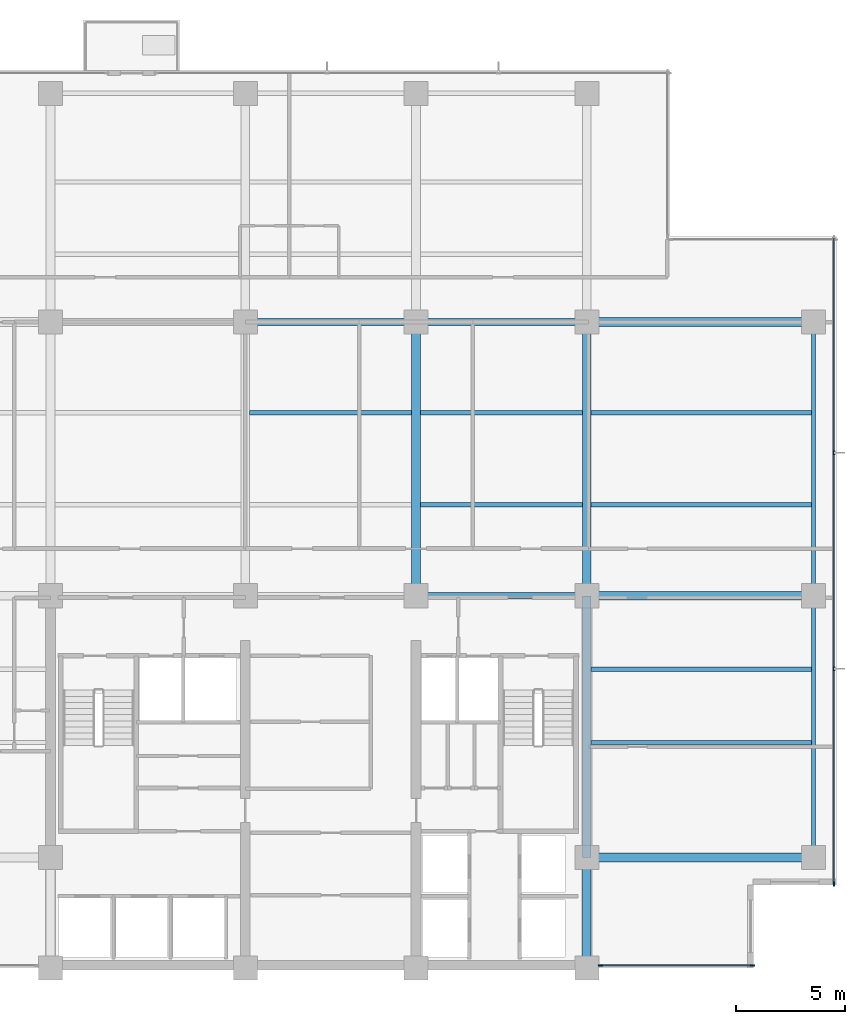
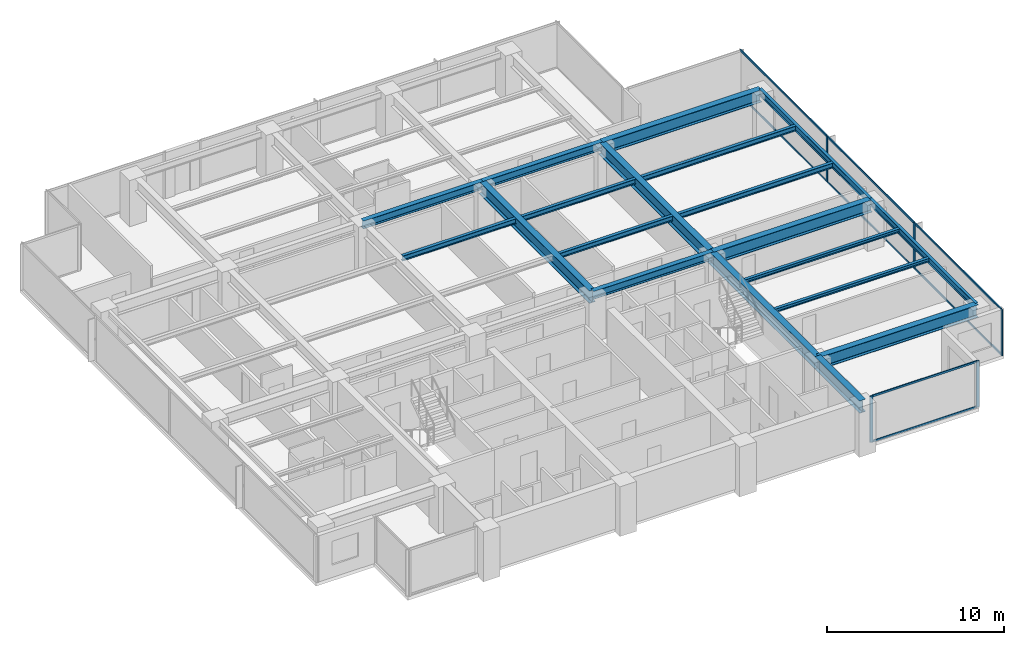
# One storey, part 3 of 14: 19 beams, 13 members, 2 elements without a shape of their own.
"""IFC4 building model written with IfcOpenShell, lengths in metres."""

from ifc_helpers import new_model, si_unit, direction, frame, origin, origin_2d, place, context, subcontext, project, spatial, rectangle, i_section, extrude, material, layer, layer_set, material_profile, profile_set, type_object, element, aggregate, save


model = new_model("IFC4")

# Units and contexts
model_context = context("Model", 3, precision=1e-05, world=origin(), true_north=direction((0.0, 1.0)))
body_context = subcontext(model_context, "Body", "Model", "MODEL_VIEW")
ifc_project = project(units=[si_unit("LENGTHUNIT", "METRE"), si_unit("AREAUNIT", "SQUARE_METRE"), si_unit("VOLUMEUNIT", "CUBIC_METRE"), si_unit("PLANEANGLEUNIT", "RADIAN"), si_unit("MASSUNIT", "GRAM", prefix="KILO")], contexts=[model_context])

# Site, building, storey
site_placement = place(None, origin())
site = spatial("IfcSite", under=ifc_project, at=site_placement, CompositionType="ELEMENT")
building_placement = place(site_placement, origin())
building = spatial("IfcBuilding", under=site, at=building_placement, Name="Qalmaran Belvedere Hotel", CompositionType="ELEMENT")
storey_placement = place(building_placement, frame((0.0, 0.0, 180.60009765625)))
storey = spatial("IfcBuildingStorey", under=building, at=storey_placement, Name="L46", CompositionType="ELEMENT", Elevation=180.60009765625)

# Beams
ifc_material_1 = material(Name="Steel S355JR", Category="steel")
ifc_material_profile_1 = material_profile(ifc_material_1, i_section(OverallWidth=0.201904296875, OverallDepth=0.2470703125, WebThickness=0.00732421875, FlangeThickness=0.010986328125, FilletRadius=0.011962890625, at=origin_2d()), Name="W250X49")
ifc_profile_set_1 = profile_set([ifc_material_profile_1], Name="Steel S355JR")
beam_type_1 = type_object("IfcBeamType", Name="BM-JST-W250X49", PredefinedType="JOIST", material=ifc_profile_set_1)
for number, where, z_axis, x_axis, name in (
    (1, (44.998046875, 13.800048828125, 3.056396484375), (1.0, 0.0, 0.0), (0.0, 1.0, 0.0), "L46 East Wing Joist 039"),
    (2, (44.998046875, 17.14990234375, 3.056396484375), (1.0, 0.0, 0.0), (0.0, 1.0, 0.0), "L46 East Wing Joist 041"),
):
    element("IfcBeam", number, at=place(storey_placement, frame(where, z_axis=z_axis, x_axis=x_axis)), inside=storey, type_object=beam_type_1, Name=name, PredefinedType="JOIST", context=body_context, shape_type="SweptSolid", body=[
        extrude(i_section(OverallWidth=0.201904296875, OverallDepth=0.2470703125, WebThickness=0.00732421875, FlangeThickness=0.010986328125, FilletRadius=0.011962890625, at=origin_2d()), origin(), (0.0, 0.0, 1.0), 10.057861328125),
    ])
ifc_material_profile_2 = material_profile(ifc_material_1, i_section(OverallWidth=0.39990234375, OverallDepth=0.85498046875, WebThickness=0.018310546875, FlangeThickness=0.029296875, FilletRadius=0.02392578125, at=origin_2d()), Name="W840X299")
ifc_profile_set_2 = profile_set([ifc_material_profile_2], Name="Steel S355JR")
beam_type_2 = type_object("IfcBeamType", Name="BM-PG3-W840X299", PredefinedType="USERDEFINED", material=ifc_profile_set_2)
for number, where, z_axis, x_axis, name in (
    (3, (37.0, 20.5, 2.75244140625), (0.0, 1.0, 0.0), (-1.0, 0.0, 0.0), "L46 Mid-Plate N-S Girder 18"),
    (4, (44.800048828125, 20.5, 2.75244140625), (0.0, 1.0, 0.0), (-1.0, 0.0, 0.0), "L46 Mid-Plate N-S Girder 20"),
):
    element("IfcBeam", number, at=place(storey_placement, frame(where, z_axis=z_axis, x_axis=x_axis)), inside=storey, type_object=beam_type_2, Name=name, ObjectType="GIRDER", PredefinedType="USERDEFINED", context=body_context, shape_type="SweptSolid", body=[
        extrude(i_section(OverallWidth=0.39990234375, OverallDepth=0.85498046875, WebThickness=0.018310546875, FlangeThickness=0.029296875, FilletRadius=0.02392578125, at=origin_2d()), origin(), (0.0, 0.0, 1.0), 12.5),
    ])
beam_1_placement = place(storey_placement, frame((44.800048828125, 3.5, 2.75244140625), z_axis=(0.0, 1.0, 0.0), x_axis=(-1.0, 0.0, 0.0)))
element("IfcBeam", 5, at=beam_1_placement, inside=storey, type_object=beam_type_2, Name="L46 East Core Edge Girder A", ObjectType="GIRDER", PredefinedType="USERDEFINED", context=body_context, shape_type="SweptSolid", body=[
    extrude(i_section(OverallWidth=0.39990234375, OverallDepth=0.85498046875, WebThickness=0.018310546875, FlangeThickness=0.029296875, FilletRadius=0.02392578125, at=origin_2d()), origin(), (0.0, 0.0, 1.0), 5.050048828125),
])
beam_2_placement = place(storey_placement, frame((44.800048828125, 8.550048828125, 2.75244140625), z_axis=(0.0, 1.0, 0.0), x_axis=(-1.0, 0.0, 0.0)))
element("IfcBeam", 6, at=beam_2_placement, inside=storey, type_object=beam_type_2, Name="L46 East Core Edge Girder B", ObjectType="GIRDER", PredefinedType="USERDEFINED", context=body_context, shape_type="SweptSolid", body=[
    extrude(i_section(OverallWidth=0.39990234375, OverallDepth=0.85498046875, WebThickness=0.018310546875, FlangeThickness=0.029296875, FilletRadius=0.02392578125, at=origin_2d()), origin(), (0.0, 0.0, 1.0), 11.949951171875),
])
for number, where, z_axis, x_axis, name in (
    (7, (44.800048828125, 8.550048828125, 2.75244140625), (1.0, 0.0, 0.0), (0.0, 1.0, 0.0), "L46 East Wing Girder 25"),
    (8, (44.800048828125, 20.5, 2.75244140625), (1.0, 0.0, 0.0), (0.0, 1.0, 0.0), "L46 East Wing Girder 26"),
    (9, (44.800048828125, 33.0, 2.75244140625), (1.0, 0.0, 0.0), (0.0, 1.0, 0.0), "L46 East Wing Girder 27"),
):
    element("IfcBeam", number, at=place(storey_placement, frame(where, z_axis=z_axis, x_axis=x_axis)), inside=storey, type_object=beam_type_2, Name=name, ObjectType="GIRDER", PredefinedType="USERDEFINED", context=body_context, shape_type="SweptSolid", body=[
        extrude(i_section(OverallWidth=0.39990234375, OverallDepth=0.85498046875, WebThickness=0.018310546875, FlangeThickness=0.029296875, FilletRadius=0.02392578125, at=origin_2d()), origin(), (0.0, 0.0, 1.0), 10.349853515625),
    ])
ifc_material_profile_3 = material_profile(ifc_material_1, i_section(OverallWidth=0.205078125, OverallDepth=0.35400390625, WebThickness=0.009521484375, FlangeThickness=0.016845703125, FilletRadius=0.014892578125, at=origin_2d()), Name="W360X79")
ifc_profile_set_3 = profile_set([ifc_material_profile_3], Name="Steel S355JR")
beam_type_3 = type_object("IfcBeamType", Name="BM-SB3-W360X79", PredefinedType="BEAM", material=ifc_profile_set_3)
beam_3_placement = place(storey_placement, frame((37.197998046875, 24.64990234375, 3.0029296875), z_axis=(1.0, 0.0, 0.0), x_axis=(0.0, 1.0, 0.0)))
element("IfcBeam", 10, at=beam_3_placement, inside=storey, type_object=beam_type_3, Name="L46 Secondary Floor Beam 031", PredefinedType="BEAM", context=body_context, shape_type="SweptSolid", body=[
    extrude(i_section(OverallWidth=0.205078125, OverallDepth=0.35400390625, WebThickness=0.009521484375, FlangeThickness=0.016845703125, FilletRadius=0.014892578125, at=origin_2d()), origin(), (0.0, 0.0, 1.0), 7.404052734375),
])
beam_4_placement = place(storey_placement, frame((44.998046875, 24.64990234375, 3.0029296875), z_axis=(1.0, 0.0, 0.0), x_axis=(0.0, 1.0, 0.0)))
element("IfcBeam", 11, at=beam_4_placement, inside=storey, type_object=beam_type_3, Name="L46 East Secondary Beam 032", PredefinedType="BEAM", context=body_context, shape_type="SweptSolid", body=[
    extrude(i_section(OverallWidth=0.205078125, OverallDepth=0.35400390625, WebThickness=0.009521484375, FlangeThickness=0.016845703125, FilletRadius=0.014892578125, at=origin_2d()), origin(), (0.0, 0.0, 1.0), 10.057861328125),
])
for number, where, z_axis, x_axis, name in (
    (12, (29.39794921875, 28.85009765625, 3.0029296875), (1.0, 0.0, 0.0), (0.0, 1.0, 0.0), "L46 Secondary Floor Beam 035"),
    (13, (37.197998046875, 28.85009765625, 3.0029296875), (1.0, 0.0, 0.0), (0.0, 1.0, 0.0), "L46 Secondary Floor Beam 036"),
):
    element("IfcBeam", number, at=place(storey_placement, frame(where, z_axis=z_axis, x_axis=x_axis)), inside=storey, type_object=beam_type_3, Name=name, PredefinedType="BEAM", context=body_context, shape_type="SweptSolid", body=[
        extrude(i_section(OverallWidth=0.205078125, OverallDepth=0.35400390625, WebThickness=0.009521484375, FlangeThickness=0.016845703125, FilletRadius=0.014892578125, at=origin_2d()), origin(), (0.0, 0.0, 1.0), 7.404052734375),
    ])
beam_5_placement = place(storey_placement, frame((44.998046875, 28.85009765625, 3.0029296875), z_axis=(1.0, 0.0, 0.0), x_axis=(0.0, 1.0, 0.0)))
element("IfcBeam", 14, at=beam_5_placement, inside=storey, type_object=beam_type_3, Name="L46 East Secondary Beam 037", PredefinedType="BEAM", context=body_context, shape_type="SweptSolid", body=[
    extrude(i_section(OverallWidth=0.205078125, OverallDepth=0.35400390625, WebThickness=0.009521484375, FlangeThickness=0.016845703125, FilletRadius=0.014892578125, at=origin_2d()), origin(), (0.0, 0.0, 1.0), 10.057861328125),
])
ifc_material_profile_4 = material_profile(ifc_material_1, i_section(OverallWidth=0.19189453125, OverallDepth=0.462890625, WebThickness=0.010498046875, FlangeThickness=0.017578125, FilletRadius=0.01611328125, at=origin_2d()), Name="W460X89")
ifc_profile_set_4 = profile_set([ifc_material_profile_4], Name="Steel S355JR")
beam_type_4 = type_object("IfcBeamType", Name="BM-SP2-W460X89", PredefinedType="SPANDREL", material=ifc_profile_set_4)
beam_6_placement = place(storey_placement, frame((55.14990234375, 8.550048828125, 2.948486328125), z_axis=(0.0, 1.0, 0.0), x_axis=(-1.0, 0.0, 0.0)))
element("IfcBeam", 15, at=beam_6_placement, inside=storey, type_object=beam_type_4, Name="L46 Perimeter Spandrel 03", PredefinedType="SPANDREL", context=body_context, shape_type="SweptSolid", body=[
    extrude(i_section(OverallWidth=0.19189453125, OverallDepth=0.462890625, WebThickness=0.010498046875, FlangeThickness=0.017578125, FilletRadius=0.01611328125, at=origin_2d()), origin(), (0.0, 0.0, 1.0), 11.949951171875),
])
beam_7_placement = place(storey_placement, frame((55.14990234375, 20.5, 2.948486328125), z_axis=(0.0, 1.0, 0.0), x_axis=(-1.0, 0.0, 0.0)))
element("IfcBeam", 16, at=beam_7_placement, inside=storey, type_object=beam_type_4, Name="L46 Perimeter Spandrel 04", PredefinedType="SPANDREL", context=body_context, shape_type="SweptSolid", body=[
    extrude(i_section(OverallWidth=0.19189453125, OverallDepth=0.462890625, WebThickness=0.010498046875, FlangeThickness=0.017578125, FilletRadius=0.01611328125, at=origin_2d()), origin(), (0.0, 0.0, 1.0), 12.5),
])
ifc_material_profile_5 = material_profile(ifc_material_1, i_section(OverallWidth=0.31201171875, OverallDepth=0.54296875, WebThickness=0.0126953125, FlangeThickness=0.020263671875, FilletRadius=0.01806640625, at=origin_2d()), Name="W530X150")
ifc_profile_set_5 = profile_set([ifc_material_profile_5], Name="Steel S355JR")
beam_type_5 = type_object("IfcBeamType", Name="BM-Z3-W530X150", PredefinedType="USERDEFINED", material=ifc_profile_set_5)
for number, where, z_axis, x_axis, name in (
    (17, (37.0, 20.5, 2.908447265625), (1.0, 0.0, 0.0), (0.0, 1.0, 0.0), "L46 Interior E-W Girder 10"),
    (18, (29.199951171875, 33.0, 2.908447265625), (1.0, 0.0, 0.0), (0.0, 1.0, 0.0), "L46 Interior E-W Girder 12"),
    (19, (37.0, 33.0, 2.908447265625), (1.0, 0.0, 0.0), (0.0, 1.0, 0.0), "L46 Interior E-W Girder 13"),
):
    element("IfcBeam", number, at=place(storey_placement, frame(where, z_axis=z_axis, x_axis=x_axis)), inside=storey, type_object=beam_type_5, Name=name, ObjectType="GIRDER", PredefinedType="USERDEFINED", context=body_context, shape_type="SweptSolid", body=[
        extrude(i_section(OverallWidth=0.31201171875, OverallDepth=0.54296875, WebThickness=0.0126953125, FlangeThickness=0.020263671875, FilletRadius=0.01806640625, at=origin_2d()), origin(), (0.0, 0.0, 1.0), 7.800048828125),
    ])

# Curtain wall, members
ifc_material_2 = material(Name="Anodised Bronze Aluminium", Category="aluminium")
ifc_layer = layer(ifc_material_2, 0.195068359375, Name="Anodised Bronze Aluminium")
ifc_layer_set = layer_set([ifc_layer], Name="Anodised Bronze Aluminium")
curtain_wall_type = type_object("IfcCurtainWallType", Name="CW4-TOWER-HIGHMID", PredefinedType="NOTDEFINED", material=ifc_layer_set)
curtain_wall_1_placement = place(storey_placement, origin())
curtain_wall_1 = element("IfcCurtainWall", 20, at=curtain_wall_1_placement, inside=storey, type_object=curtain_wall_type, Name="L46 Curtain Wall CW4", PredefinedType="NOTDEFINED")
ifc_material_profile_6 = material_profile(ifc_material_2, rectangle(XDim=0.070068359375, YDim=0.18994140625, at=origin_2d()), Name="CWM70X190")
ifc_profile_set_6 = profile_set([ifc_material_profile_6], Name="Anodised Bronze Aluminium")
member_type_1 = type_object("IfcMemberType", Name="CWM-70X190", PredefinedType="MULLION", material=ifc_profile_set_6)
member_1_placement = place(storey_placement, frame((45.425048828125, 3.6201171875, 0.0), z_axis=(0.0, 0.0, 1.0), x_axis=(0.0, 1.0, 0.0)))
member_1 = element("IfcMember", 21, at=member_1_placement, type_object=member_type_1, Name="CW4 mullion 1", PredefinedType="MULLION", context=body_context, shape_type="SweptSolid", body=[
    extrude(rectangle(XDim=0.070068359375, YDim=0.18994140625, at=origin_2d()), origin(), (0.0, 0.0, 1.0), 3.179931640625),
])
member_2_placement = place(storey_placement, frame((52.364990234375, 3.6201171875, 0.0), z_axis=(0.0, 0.0, 1.0), x_axis=(0.0, 1.0, 0.0)))
member_2 = element("IfcMember", 22, at=member_2_placement, type_object=member_type_1, Name="CW4 mullion 2", PredefinedType="MULLION", context=body_context, shape_type="SweptSolid", body=[
    extrude(rectangle(XDim=0.070068359375, YDim=0.18994140625, at=origin_2d()), origin(), (0.0, 0.0, 1.0), 3.179931640625),
])

curtain_wall_2_placement = place(storey_placement, origin())
curtain_wall_2 = element("IfcCurtainWall", 23, at=curtain_wall_2_placement, inside=storey, type_object=curtain_wall_type, Name="L46 Curtain Wall CW4", PredefinedType="NOTDEFINED")
member_3_placement = place(storey_placement, frame((56.080078125, 7.3349609375, 0.0), z_axis=(0.0, 0.0, 1.0), x_axis=(-1.0, 0.0, 0.0)))
member_3 = element("IfcMember", 24, at=member_3_placement, type_object=member_type_1, Name="CW4 mullion 1", PredefinedType="MULLION", context=body_context, shape_type="SweptSolid", body=[
    extrude(rectangle(XDim=0.070068359375, YDim=0.18994140625, at=origin_2d()), origin(), (0.0, 0.0, 1.0), 3.179931640625),
])
member_4_placement = place(storey_placement, frame((56.080078125, 17.166748046875, 0.0), z_axis=(0.0, 0.0, 1.0), x_axis=(-1.0, 0.0, 0.0)))
member_4 = element("IfcMember", 25, at=member_4_placement, type_object=member_type_1, Name="CW4 mullion 2", PredefinedType="MULLION", context=body_context, shape_type="SweptSolid", body=[
    extrude(rectangle(XDim=0.070068359375, YDim=0.18994140625, at=origin_2d()), origin(), (0.0, 0.0, 1.0), 3.179931640625),
])
member_5_placement = place(storey_placement, frame((56.080078125, 27.033447265625, 0.0), z_axis=(0.0, 0.0, 1.0), x_axis=(-1.0, 0.0, 0.0)))
member_5 = element("IfcMember", 26, at=member_5_placement, type_object=member_type_1, Name="CW4 mullion 3", PredefinedType="MULLION", context=body_context, shape_type="SweptSolid", body=[
    extrude(rectangle(XDim=0.070068359375, YDim=0.18994140625, at=origin_2d()), origin(), (0.0, 0.0, 1.0), 3.179931640625),
])

# Member
ifc_material_profile_7 = material_profile(ifc_material_2, rectangle(XDim=0.06494140625, YDim=0.1298828125, at=origin_2d()), Name="CWT65X130")
ifc_profile_set_7 = profile_set([ifc_material_profile_7], Name="Anodised Bronze Aluminium")
member_type_2 = type_object("IfcMemberType", Name="CWT-65X130", PredefinedType="USERDEFINED", material=ifc_profile_set_7)
member_6_placement = place(storey_placement, frame((45.4599609375, 3.6201171875, 0.032470703125), z_axis=(1.0, 0.0, 0.0), x_axis=(0.0, 1.0, 0.0)))
member_6 = element("IfcMember", 27, at=member_6_placement, type_object=member_type_2, Name="CW4 transom 1.1", ObjectType="TRANSOM", PredefinedType="USERDEFINED", context=body_context, shape_type="SweptSolid", body=[
    extrude(rectangle(XDim=0.06494140625, YDim=0.1298828125, at=origin_2d()), origin(), (0.0, 0.0, 1.0), 6.8701171875),
])

member_7_placement = place(storey_placement, frame((45.4599609375, 3.6201171875, 3.1474609375), z_axis=(1.0, 0.0, 0.0), x_axis=(0.0, 1.0, 0.0)))
member_7 = element("IfcMember", 28, at=member_7_placement, type_object=member_type_2, Name="CW4 transom 1.2", ObjectType="TRANSOM", PredefinedType="USERDEFINED", context=body_context, shape_type="SweptSolid", body=[
    extrude(rectangle(XDim=0.06494140625, YDim=0.1298828125, at=origin_2d()), origin(), (0.0, 0.0, 1.0), 6.8701171875),
])

aggregate(curtain_wall_1, [member_1, member_2, member_6, member_7])

member_8_placement = place(storey_placement, frame((56.080078125, 7.3701171875, 0.032470703125), z_axis=(0.0, 1.0, 0.0), x_axis=(-1.0, 0.0, 0.0)))
member_8 = element("IfcMember", 29, at=member_8_placement, type_object=member_type_2, Name="CW4 transom 1.1", ObjectType="TRANSOM", PredefinedType="USERDEFINED", context=body_context, shape_type="SweptSolid", body=[
    extrude(rectangle(XDim=0.06494140625, YDim=0.1298828125, at=origin_2d()), origin(), (0.0, 0.0, 1.0), 9.761474609375),
])

member_9_placement = place(storey_placement, frame((56.080078125, 7.3701171875, 3.1474609375), z_axis=(0.0, 1.0, 0.0), x_axis=(-1.0, 0.0, 0.0)))
member_9 = element("IfcMember", 30, at=member_9_placement, type_object=member_type_2, Name="CW4 transom 1.2", ObjectType="TRANSOM", PredefinedType="USERDEFINED", context=body_context, shape_type="SweptSolid", body=[
    extrude(rectangle(XDim=0.06494140625, YDim=0.1298828125, at=origin_2d()), origin(), (0.0, 0.0, 1.0), 9.761474609375),
])

member_10_placement = place(storey_placement, frame((56.080078125, 17.20166015625, 0.032470703125), z_axis=(0.0, 1.0, 0.0), x_axis=(-1.0, 0.0, 0.0)))
member_10 = element("IfcMember", 31, at=member_10_placement, type_object=member_type_2, Name="CW4 transom 2.1", ObjectType="TRANSOM", PredefinedType="USERDEFINED", context=body_context, shape_type="SweptSolid", body=[
    extrude(rectangle(XDim=0.06494140625, YDim=0.1298828125, at=origin_2d()), origin(), (0.0, 0.0, 1.0), 9.796630859375),
])

member_11_placement = place(storey_placement, frame((56.080078125, 17.20166015625, 3.1474609375), z_axis=(0.0, 1.0, 0.0), x_axis=(-1.0, 0.0, 0.0)))
member_11 = element("IfcMember", 32, at=member_11_placement, type_object=member_type_2, Name="CW4 transom 2.2", ObjectType="TRANSOM", PredefinedType="USERDEFINED", context=body_context, shape_type="SweptSolid", body=[
    extrude(rectangle(XDim=0.06494140625, YDim=0.1298828125, at=origin_2d()), origin(), (0.0, 0.0, 1.0), 9.796630859375),
])

member_12_placement = place(storey_placement, frame((56.080078125, 27.068359375, 0.032470703125), z_axis=(0.0, 1.0, 0.0), x_axis=(-1.0, 0.0, 0.0)))
member_12 = element("IfcMember", 33, at=member_12_placement, type_object=member_type_2, Name="CW4 transom 3.1", ObjectType="TRANSOM", PredefinedType="USERDEFINED", context=body_context, shape_type="SweptSolid", body=[
    extrude(rectangle(XDim=0.06494140625, YDim=0.1298828125, at=origin_2d()), origin(), (0.0, 0.0, 1.0), 9.76171875),
])

member_13_placement = place(storey_placement, frame((56.080078125, 27.068359375, 3.1474609375), z_axis=(0.0, 1.0, 0.0), x_axis=(-1.0, 0.0, 0.0)))
member_13 = element("IfcMember", 34, at=member_13_placement, type_object=member_type_2, Name="CW4 transom 3.2", ObjectType="TRANSOM", PredefinedType="USERDEFINED", context=body_context, shape_type="SweptSolid", body=[
    extrude(rectangle(XDim=0.06494140625, YDim=0.1298828125, at=origin_2d()), origin(), (0.0, 0.0, 1.0), 9.76171875),
])

aggregate(curtain_wall_2, [member_3, member_4, member_5, member_8, member_9, member_10, member_11, member_12, member_13])

save(model, "model.ifc")
